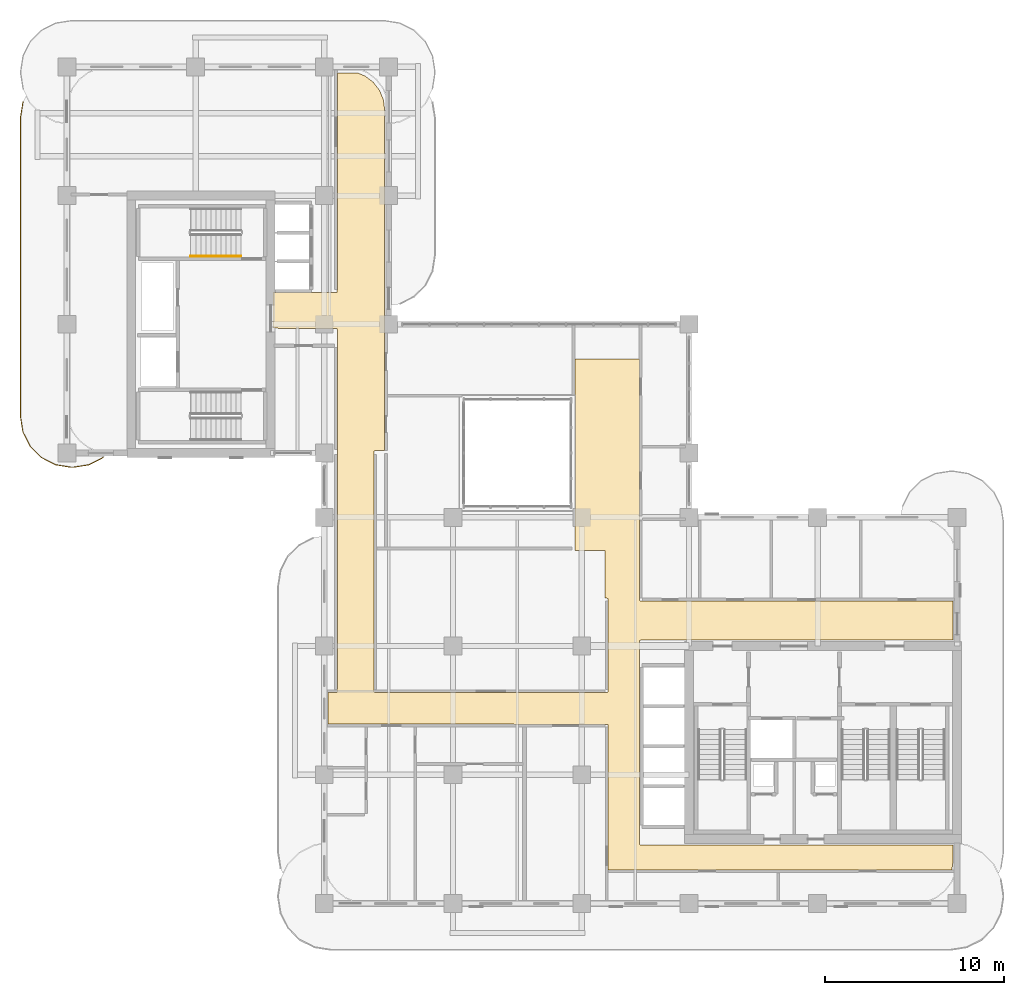
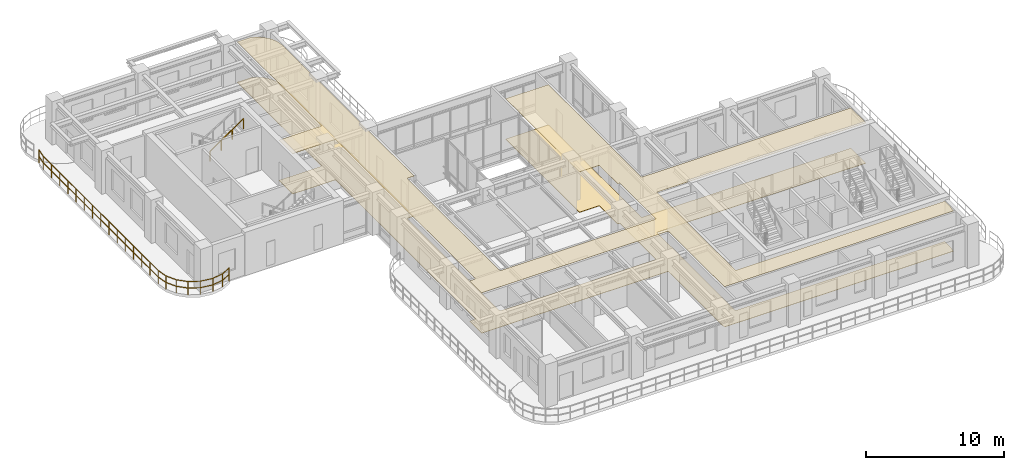
# One storey, part 19 of 20: 2 coverings, 2 railings.
"""IFC4 building model written with IfcOpenShell, lengths in metres."""

from ifc_helpers import new_model, si_unit, derived_unit, direction, frame, origin, origin_2d, place, context, subcontext, project, spatial, polyline, rectangle, outline, extrude, material, layer, layer_set, type_object, element, save


model = new_model("IFC4")

# Units and contexts
model_context = context("Model", 3, precision=1e-05, world=origin(), true_north=direction((0.0, 1.0)))
body_context = subcontext(model_context, "Body", "Model", "MODEL_VIEW")
ifc_project = project(units=[si_unit("LENGTHUNIT", "METRE"), si_unit("AREAUNIT", "SQUARE_METRE"), si_unit("VOLUMEUNIT", "CUBIC_METRE"), si_unit("PLANEANGLEUNIT", "RADIAN"), si_unit("MASSUNIT", "GRAM", prefix="KILO"), si_unit("THERMODYNAMICTEMPERATUREUNIT", "KELVIN"), si_unit("POWERUNIT", "WATT"), derived_unit("THERMALTRANSMITTANCEUNIT", [(si_unit("POWERUNIT", "WATT"), 1), (si_unit("AREAUNIT", "SQUARE_METRE"), -1), (si_unit("THERMODYNAMICTEMPERATUREUNIT", "KELVIN"), -1)])], contexts=[model_context])

# Site, building, storey
site_placement = place(None, origin())
site = spatial("IfcSite", under=ifc_project, at=site_placement, CompositionType="ELEMENT")
building_placement = place(site_placement, origin())
building = spatial("IfcBuilding", under=site, at=building_placement, Name="Zahravan Archway Hotel and Residences", CompositionType="ELEMENT")
storey_placement = place(building_placement, frame((0.0, 0.0, 154.14990234375)))
storey = spatial("IfcBuildingStorey", under=building, at=storey_placement, Name="L38", CompositionType="ELEMENT", Elevation=154.14990234375)

# Coverings
ifc_material_1 = material(Name="Perforated Acoustic Gypsum Ceiling")
ifc_layer_1 = layer(ifc_material_1, 0.02490234375, Name="Perforated Acoustic Gypsum Ceiling")
ifc_layer_set_1 = layer_set([ifc_layer_1], Name="Perforated Acoustic Gypsum Ceiling")
covering_type_1 = type_object("IfcCoveringType", Name="COV-CEIL-ACST", PredefinedType="CEILING", material=ifc_layer_set_1)
covering_1_placement = place(storey_placement, frame((0.0, 0.0, 3.5751953125)))
element("IfcCovering", 1, at=covering_1_placement, inside=storey, type_object=covering_type_1, Name="L38 Acoustic Corridor Ceiling", PredefinedType="CEILING", context=body_context, shape_type="SweptSolid", body=[
    extrude(outline(polyline([(32.09228515625, 14.7294921875), (32.04931640625, 14.7119140625), (32.0234375, 14.673095703125), (32.02001953125, 3.35009765625), (32.033447265625, 3.3056640625), (32.0693359375, 3.276123046875), (49.580078125, 3.27001953125), (49.580078125, 2.414306640625), (49.509521484375, 1.8798828125), (30.280029296875, 1.8798828125), (30.280029296875, 9.949951171875), (30.2666015625, 9.994384765625), (30.230712890625, 10.02392578125), (14.6201171875, 10.030029296875), (14.6201171875, 11.7900390625), (15.050048828125, 11.7900390625), (15.094482421875, 11.803466796875), (15.123779296875, 11.83935546875), (15.1298828125, 32.10009765625), (15.116455078125, 32.144287109375), (15.08056640625, 32.173828125), (11.530029296875, 32.179931640625), (11.530029296875, 34.169921875), (15.050048828125, 34.169921875), (15.094482421875, 34.18359375), (15.123779296875, 34.219482421875), (15.1298828125, 46.469970703125), (16.24560546875, 46.469970703125), (16.689208984375, 46.286376953125), (17.14013671875, 45.940185546875), (17.486328125, 45.489013671875), (17.703857421875, 44.9638671875), (17.77001953125, 44.46142578125), (17.77001953125, 25.330078125), (17.25, 25.330078125), (17.20556640625, 25.31640625), (17.176025390625, 25.280517578125), (17.169921875, 11.8701171875), (17.18359375, 11.82568359375), (17.219482421875, 11.796142578125), (30.199951171875, 11.7900390625), (30.244384765625, 11.803466796875), (30.27392578125, 11.83935546875), (30.280029296875, 17.0), (30.2666015625, 17.04443359375), (30.230712890625, 17.073974609375), (30.10009765625, 17.080078125), (30.10009765625, 19.719970703125), (30.072998046875, 19.75), (28.429931640625, 19.75), (28.429931640625, 30.469970703125), (32.02001953125, 30.469970703125), (32.02001953125, 17.0), (32.033447265625, 16.95556640625), (32.0693359375, 16.926025390625), (49.580078125, 16.919921875), (49.580078125, 14.72998046875), (32.10009765625, 14.72998046875), (32.09228515625, 14.7294921875)])), origin(), (0.0, 0.0, 1.0), 0.02490234375),
])
ifc_material_2 = material(Name="Honed Margalla Limestone & Mortar Bed", Category="masonry")
ifc_layer_2 = layer(ifc_material_2, 0.030029296875, Name="Honed Margalla Limestone & Mortar Bed", Category="masonry")
ifc_layer_set_2 = layer_set([ifc_layer_2], Name="Honed Margalla Limestone & Mortar Bed")
covering_type_2 = type_object("IfcCoveringType", Name="COV-FLR-STONE", PredefinedType="FLOORING", material=ifc_layer_set_2)
covering_2_placement = place(storey_placement, origin())
element("IfcCovering", 2, at=covering_2_placement, inside=storey, type_object=covering_type_2, Name="L38 Circulation Floor Finish", PredefinedType="FLOORING", context=body_context, shape_type="SweptSolid", body=[
    extrude(outline(polyline([(32.09228515625, 14.7294921875), (32.04931640625, 14.7119140625), (32.0234375, 14.673095703125), (32.02001953125, 3.35009765625), (32.033447265625, 3.3056640625), (32.0693359375, 3.276123046875), (49.580078125, 3.27001953125), (49.580078125, 2.414306640625), (49.509521484375, 1.8798828125), (30.280029296875, 1.8798828125), (30.280029296875, 9.949951171875), (30.2666015625, 9.994384765625), (30.230712890625, 10.02392578125), (14.6201171875, 10.030029296875), (14.6201171875, 11.7900390625), (15.050048828125, 11.7900390625), (15.094482421875, 11.803466796875), (15.123779296875, 11.83935546875), (15.1298828125, 32.10009765625), (15.116455078125, 32.144287109375), (15.08056640625, 32.173828125), (11.530029296875, 32.179931640625), (11.530029296875, 34.169921875), (15.050048828125, 34.169921875), (15.094482421875, 34.18359375), (15.123779296875, 34.219482421875), (15.1298828125, 46.469970703125), (16.24560546875, 46.469970703125), (16.689208984375, 46.286376953125), (17.14013671875, 45.940185546875), (17.486328125, 45.489013671875), (17.703857421875, 44.9638671875), (17.77001953125, 44.46142578125), (17.77001953125, 25.330078125), (17.25, 25.330078125), (17.20556640625, 25.31640625), (17.176025390625, 25.280517578125), (17.169921875, 11.8701171875), (17.18359375, 11.82568359375), (17.219482421875, 11.796142578125), (30.199951171875, 11.7900390625), (30.244384765625, 11.803466796875), (30.27392578125, 11.83935546875), (30.280029296875, 17.0), (30.2666015625, 17.04443359375), (30.230712890625, 17.073974609375), (30.10009765625, 17.080078125), (30.10009765625, 19.719970703125), (30.072998046875, 19.75), (28.429931640625, 19.75), (28.429931640625, 30.469970703125), (32.02001953125, 30.469970703125), (32.02001953125, 17.0), (32.033447265625, 16.95556640625), (32.0693359375, 16.926025390625), (49.580078125, 16.919921875), (49.580078125, 14.72998046875), (32.10009765625, 14.72998046875), (32.09228515625, 14.7294921875)])), origin(), (0.0, 0.0, 1.0), 0.030029296875),
])

# Railings
ifc_material_3 = material(Name="Bronze & Laminated Glass Balustrade", Category="glass")
railing_type_1 = type_object("IfcRailingType", Name="RL-BAL-1200", PredefinedType="BALUSTRADE", material=ifc_material_3)
railing_1_placement = place(storey_placement, frame((2.025146484375, 24.9443359375, 0.0)))
element("IfcRailing", 3, at=railing_1_placement, inside=storey, type_object=railing_type_1, Name="L38 Balustrade RL-SLB-BAL-L38-WB-1", PredefinedType="BALUSTRADE", context=body_context, shape_type="SweptSolid", body=[
    extrude(rectangle(XDim=0.048095703125, YDim=0.048095703125, at=origin_2d()), frame((0.0, 0.0, 1.17578125), z_axis=(-0.891006060389, -0.453991409995, 0.0), x_axis=(0.453991409995, -0.891006060389, 0.0)), (0.0, 0.0, 1.0), 0.8916015625),
    extrude(rectangle(XDim=0.048095703125, YDim=0.048095703125, at=origin_2d()), frame((0.0, 0.0, 0.60009765625), z_axis=(-0.891006060389, -0.453991409995, 0.0), x_axis=(0.453991409995, -0.891006060389, 0.0)), (0.0, 0.0, 1.0), 0.8916015625),
    extrude(rectangle(XDim=0.048095703125, YDim=0.048095703125, at=origin_2d()), frame((-0.79443359375, -0.40478515625, 1.17578125), z_axis=(-0.987658397726, -0.156623399917, 0.0), x_axis=(0.156623399917, -0.987658397726, 0.0)), (0.0, 0.0, 1.0), 0.8916015625),
    extrude(rectangle(XDim=0.048095703125, YDim=0.048095703125, at=origin_2d()), frame((-0.79443359375, -0.40478515625, 0.60009765625), z_axis=(-0.987658397726, -0.156623399917, 0.0), x_axis=(0.156623399917, -0.987658397726, 0.0)), (0.0, 0.0, 1.0), 0.8916015625),
    extrude(rectangle(XDim=0.048095703125, YDim=0.048095703125, at=origin_2d()), frame((-1.675048828125, -0.54443359375, 1.17578125), z_axis=(-1.0, 0.0, 0.0), x_axis=(0.0, -1.0, 0.0)), (0.0, 0.0, 1.0), 0.10009765625),
    extrude(rectangle(XDim=0.048095703125, YDim=0.048095703125, at=origin_2d()), frame((-1.675048828125, -0.54443359375, 0.60009765625), z_axis=(-1.0, 0.0, 0.0), x_axis=(0.0, -1.0, 0.0)), (0.0, 0.0, 1.0), 0.10009765625),
    extrude(rectangle(XDim=0.048095703125, YDim=0.048095703125, at=origin_2d()), frame((-1.775146484375, -0.54443359375, 1.17578125), z_axis=(-0.987658397726, 0.156623399917, 0.0), x_axis=(-0.156623399917, -0.987658397726, 0.0)), (0.0, 0.0, 1.0), 0.8916015625),
    extrude(rectangle(XDim=0.048095703125, YDim=0.048095703125, at=origin_2d()), frame((-1.775146484375, -0.54443359375, 0.60009765625), z_axis=(-0.987658397726, 0.156623399917, 0.0), x_axis=(-0.156623399917, -0.987658397726, 0.0)), (0.0, 0.0, 1.0), 0.8916015625),
    extrude(rectangle(XDim=0.048095703125, YDim=0.048095703125, at=origin_2d()), frame((-2.65576171875, -0.40478515625, 1.17578125), z_axis=(-0.891062476022, 0.45388067135, 0.0), x_axis=(-0.45388067135, -0.891062476022, 0.0)), (0.0, 0.0, 1.0), 0.891845703125),
    extrude(rectangle(XDim=0.048095703125, YDim=0.048095703125, at=origin_2d()), frame((-2.65576171875, -0.40478515625, 0.60009765625), z_axis=(-0.891062476022, 0.45388067135, 0.0), x_axis=(-0.45388067135, -0.891062476022, 0.0)), (0.0, 0.0, 1.0), 0.891845703125),
    extrude(rectangle(XDim=0.048095703125, YDim=0.048095703125, at=origin_2d()), frame((-3.450439453125, 0.0, 1.17578125), z_axis=(-0.707106781187, 0.707106781187, 0.0), x_axis=(-0.707106781187, -0.707106781187, 0.0)), (0.0, 0.0, 1.0), 0.891357421875),
    extrude(rectangle(XDim=0.048095703125, YDim=0.048095703125, at=origin_2d()), frame((-3.450439453125, 0.0, 0.60009765625), z_axis=(-0.707106781187, 0.707106781187, 0.0), x_axis=(-0.707106781187, -0.707106781187, 0.0)), (0.0, 0.0, 1.0), 0.891357421875),
    extrude(rectangle(XDim=0.048095703125, YDim=0.048095703125, at=origin_2d()), frame((-4.080810546875, 0.63037109375, 1.17578125), z_axis=(-0.45388067135, 0.891062476022, 0.0), x_axis=(-0.891062476022, -0.45388067135, 0.0)), (0.0, 0.0, 1.0), 0.891845703125),
    extrude(rectangle(XDim=0.048095703125, YDim=0.048095703125, at=origin_2d()), frame((-4.080810546875, 0.63037109375, 0.60009765625), z_axis=(-0.45388067135, 0.891062476022, 0.0), x_axis=(-0.891062476022, -0.45388067135, 0.0)), (0.0, 0.0, 1.0), 0.891845703125),
    extrude(rectangle(XDim=0.048095703125, YDim=0.048095703125, at=origin_2d()), frame((-4.485595703125, 1.425048828125, 1.17578125), z_axis=(-0.156623399917, 0.987658397726, 0.0), x_axis=(-0.987658397726, -0.156623399917, 0.0)), (0.0, 0.0, 1.0), 0.8916015625),
    extrude(rectangle(XDim=0.048095703125, YDim=0.048095703125, at=origin_2d()), frame((-4.485595703125, 1.425048828125, 0.60009765625), z_axis=(-0.156623399917, 0.987658397726, 0.0), x_axis=(-0.987658397726, -0.156623399917, 0.0)), (0.0, 0.0, 1.0), 0.8916015625),
    extrude(rectangle(XDim=0.048095703125, YDim=0.048095703125, at=origin_2d()), frame((-4.625244140625, 2.3056640625, 1.17578125), z_axis=(0.0, 1.0, 0.0), x_axis=(-1.0, 0.0, 0.0)), (0.0, 0.0, 1.0), 16.699951171875),
    extrude(rectangle(XDim=0.048095703125, YDim=0.048095703125, at=origin_2d()), frame((-4.625244140625, 2.3056640625, 0.60009765625), z_axis=(0.0, 1.0, 0.0), x_axis=(-1.0, 0.0, 0.0)), (0.0, 0.0, 1.0), 16.699951171875),
    extrude(rectangle(XDim=0.048095703125, YDim=0.048095703125, at=origin_2d()), frame((-4.625244140625, 19.005615234375, 1.17578125), z_axis=(0.156581054338, 0.98766511198, 0.0), x_axis=(-0.98766511198, 0.156581054338, 0.0)), (0.0, 0.0, 1.0), 0.891845703125),
    extrude(rectangle(XDim=0.048095703125, YDim=0.048095703125, at=origin_2d()), frame((-4.625244140625, 19.005615234375, 0.60009765625), z_axis=(0.156581054338, 0.98766511198, 0.0), x_axis=(-0.98766511198, 0.156581054338, 0.0)), (0.0, 0.0, 1.0), 0.891845703125),
    extrude(rectangle(XDim=0.0419921875, YDim=0.0419921875, at=origin_2d()), origin(), (0.0, 0.0, 1.0), 1.15185546875),
    extrude(rectangle(XDim=0.0419921875, YDim=0.0419921875, at=origin_2d()), frame((-0.79443359375, -0.40478515625, 0.0)), (0.0, 0.0, 1.0), 1.15185546875),
    extrude(rectangle(XDim=0.0419921875, YDim=0.0419921875, at=origin_2d()), frame((-1.675048828125, -0.54443359375, 0.0)), (0.0, 0.0, 1.0), 1.15185546875),
    extrude(rectangle(XDim=0.0419921875, YDim=0.0419921875, at=origin_2d()), frame((-2.65576171875, -0.40478515625, 0.0)), (0.0, 0.0, 1.0), 1.15185546875),
    extrude(rectangle(XDim=0.0419921875, YDim=0.0419921875, at=origin_2d()), frame((-3.450439453125, 0.0, 0.0)), (0.0, 0.0, 1.0), 1.15185546875),
    extrude(rectangle(XDim=0.0419921875, YDim=0.0419921875, at=origin_2d()), frame((-4.080810546875, 0.63037109375, 0.0)), (0.0, 0.0, 1.0), 1.15185546875),
    extrude(rectangle(XDim=0.0419921875, YDim=0.0419921875, at=origin_2d()), frame((-4.485595703125, 1.425048828125, 0.0)), (0.0, 0.0, 1.0), 1.15185546875),
    extrude(rectangle(XDim=0.0419921875, YDim=0.0419921875, at=origin_2d()), frame((-4.625244140625, 2.3056640625, 0.0)), (0.0, 0.0, 1.0), 1.15185546875),
    extrude(rectangle(XDim=0.0419921875, YDim=0.0419921875, at=origin_2d()), frame((-4.625244140625, 3.49853515625, 0.0)), (0.0, 0.0, 1.0), 1.15185546875),
    extrude(rectangle(XDim=0.0419921875, YDim=0.0419921875, at=origin_2d()), frame((-4.625244140625, 4.69140625, 0.0)), (0.0, 0.0, 1.0), 1.15185546875),
    extrude(rectangle(XDim=0.0419921875, YDim=0.0419921875, at=origin_2d()), frame((-4.625244140625, 5.88427734375, 0.0)), (0.0, 0.0, 1.0), 1.15185546875),
    extrude(rectangle(XDim=0.0419921875, YDim=0.0419921875, at=origin_2d()), frame((-4.625244140625, 7.0771484375, 0.0)), (0.0, 0.0, 1.0), 1.15185546875),
    extrude(rectangle(XDim=0.0419921875, YDim=0.0419921875, at=origin_2d()), frame((-4.625244140625, 8.27001953125, 0.0)), (0.0, 0.0, 1.0), 1.15185546875),
    extrude(rectangle(XDim=0.0419921875, YDim=0.0419921875, at=origin_2d()), frame((-4.625244140625, 9.462890625, 0.0)), (0.0, 0.0, 1.0), 1.15185546875),
    extrude(rectangle(XDim=0.0419921875, YDim=0.0419921875, at=origin_2d()), frame((-4.625244140625, 10.65576171875, 0.0)), (0.0, 0.0, 1.0), 1.15185546875),
    extrude(rectangle(XDim=0.0419921875, YDim=0.0419921875, at=origin_2d()), frame((-4.625244140625, 11.848388671875, 0.0)), (0.0, 0.0, 1.0), 1.15185546875),
    extrude(rectangle(XDim=0.0419921875, YDim=0.0419921875, at=origin_2d()), frame((-4.625244140625, 13.041259765625, 0.0)), (0.0, 0.0, 1.0), 1.15185546875),
    extrude(rectangle(XDim=0.0419921875, YDim=0.0419921875, at=origin_2d()), frame((-4.625244140625, 14.234130859375, 0.0)), (0.0, 0.0, 1.0), 1.15185546875),
    extrude(rectangle(XDim=0.0419921875, YDim=0.0419921875, at=origin_2d()), frame((-4.625244140625, 15.427001953125, 0.0)), (0.0, 0.0, 1.0), 1.15185546875),
    extrude(rectangle(XDim=0.0419921875, YDim=0.0419921875, at=origin_2d()), frame((-4.625244140625, 16.619873046875, 0.0)), (0.0, 0.0, 1.0), 1.15185546875),
    extrude(rectangle(XDim=0.0419921875, YDim=0.0419921875, at=origin_2d()), frame((-4.625244140625, 17.812744140625, 0.0)), (0.0, 0.0, 1.0), 1.15185546875),
    extrude(rectangle(XDim=0.0419921875, YDim=0.0419921875, at=origin_2d()), frame((-4.625244140625, 19.005615234375, 0.0)), (0.0, 0.0, 1.0), 1.15185546875),
    extrude(rectangle(XDim=0.0419921875, YDim=0.0419921875, at=origin_2d()), frame((-4.485595703125, 19.886474609375, 0.0)), (0.0, 0.0, 1.0), 1.15185546875),
])
ifc_material_4 = material(Name="Brushed Stainless Steel", Category="steel")
railing_type_2 = type_object("IfcRailingType", Name="RL-STH-900", PredefinedType="HANDRAIL", material=ifc_material_4)
railing_2_placement = place(storey_placement, frame((6.929931640625, 36.2099609375, 2.10009765625)))
element("IfcRailing", 4, at=railing_2_placement, inside=storey, type_object=railing_type_2, Name="L38 ST-B2 stair handrail 2", PredefinedType="HANDRAIL", context=body_context, shape_type="SweptSolid", body=[
    extrude(rectangle(XDim=0.048095703125, YDim=0.048095703125, at=origin_2d()), frame((0.0, 0.0, 0.8759765625), z_axis=(0.824039827795, 0.0, 0.566531872191), x_axis=(0.0, 1.0, 0.0)), (0.0, 0.0, 1.0), 3.39794921875),
    extrude(rectangle(XDim=0.0419921875, YDim=0.0419921875, at=origin_2d()), origin(), (0.0, 0.0, 1.0), 0.851806640625),
    extrude(rectangle(XDim=0.0419921875, YDim=0.0419921875, at=origin_2d()), frame((0.933349609375, 0.0, 0.6416015625)), (0.0, 0.0, 1.0), 0.851806640625),
    extrude(rectangle(XDim=0.0419921875, YDim=0.0419921875, at=origin_2d()), frame((1.86669921875, 0.0, 1.283447265625)), (0.0, 0.0, 1.0), 0.851806640625),
    extrude(rectangle(XDim=0.0419921875, YDim=0.0419921875, at=origin_2d()), frame((2.800048828125, 0.0, 1.925048828125)), (0.0, 0.0, 1.0), 0.851806640625),
])

save(model, "model.ifc")
